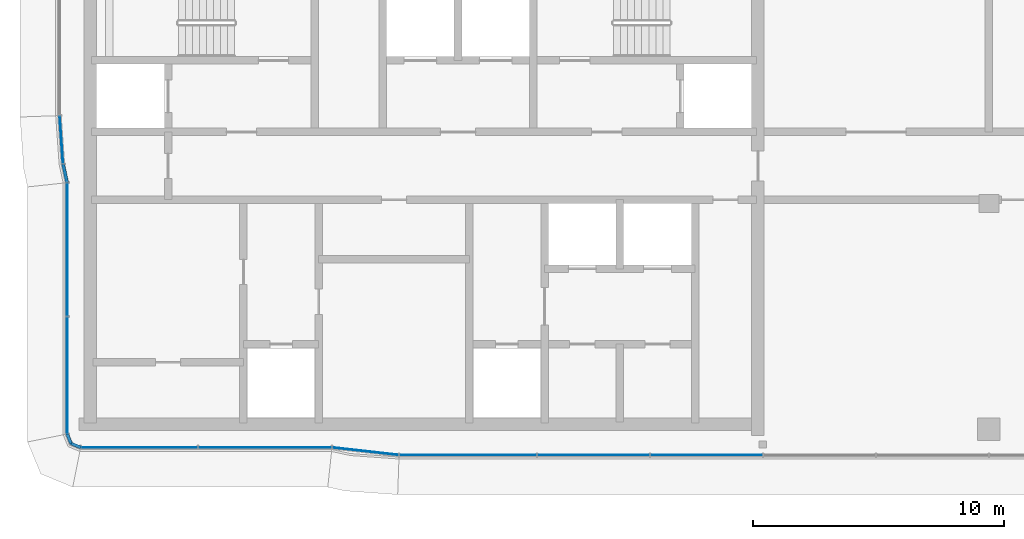
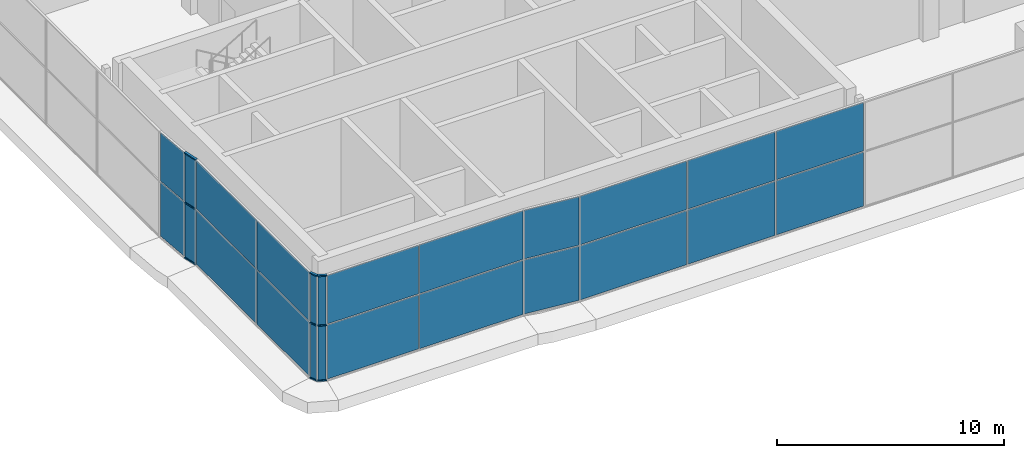
# One storey, part 12 of 23: 24 plates, 9 members, 6 elements without a shape of their own.
"""IFC4 building model written with IfcOpenShell, lengths in metres."""

from ifc_helpers import new_model, si_unit, direction, frame, origin, origin_2d, place, context, subcontext, project, spatial, rectangle, extrude, material, layer, layer_set, material_profile, profile_set, type_object, element, aggregate, save


model = new_model("IFC4")

# Units and contexts
model_context = context("Model", 3, precision=1e-05, world=origin(), true_north=direction((0.0, 1.0)))
body_context = subcontext(model_context, "Body", "Model", "MODEL_VIEW")
ifc_project = project(units=[si_unit("LENGTHUNIT", "METRE"), si_unit("AREAUNIT", "SQUARE_METRE"), si_unit("VOLUMEUNIT", "CUBIC_METRE"), si_unit("PLANEANGLEUNIT", "RADIAN"), si_unit("MASSUNIT", "GRAM", prefix="KILO")], contexts=[model_context])

# Site, building, storey
site_placement = place(None, origin())
site = spatial("IfcSite", under=ifc_project, at=site_placement, CompositionType="ELEMENT")
building_placement = place(site_placement, origin())
building = spatial("IfcBuilding", under=site, at=building_placement, Name="Ogive Portal Towers", CompositionType="ELEMENT")
storey_placement = place(building_placement, frame((0.0, 0.0, 260.89990234375)))
storey = spatial("IfcBuildingStorey", under=building, at=storey_placement, Name="L64", CompositionType="ELEMENT", Elevation=260.89990234375)

# Curtain wall, members
ifc_material_1 = material(Name="Glass, clear low-iron insulated glazing", Category="glass")
curtain_wall_type = type_object("IfcCurtainWallType", Name="CW OBSERVATION WALL", PredefinedType="NOTDEFINED", material=ifc_material_1)
curtain_wall_1_placement = place(storey_placement, origin())
curtain_wall_1 = element("IfcCurtainWall", 1, at=curtain_wall_1_placement, inside=storey, type_object=curtain_wall_type, Name="A:L64:f01:cwa", PredefinedType="NOTDEFINED")
ifc_material_2 = material(Name="Aluminium 6063 anodised", Category="aluminium")
ifc_material_profile = material_profile(ifc_material_2, rectangle(XDim=0.1201171875, YDim=0.06005859375, at=origin_2d()), Name="AL 120x60")
ifc_profile_set = profile_set([ifc_material_profile], Name="Aluminium 6063 anodised")
member_type = type_object("IfcMemberType", Name="CW TRANSOM 60x120", PredefinedType="USERDEFINED", material=ifc_profile_set)
member_1_placement = place(storey_placement, frame((30.780029296875, 21.31591796875, 0.030029296875), z_axis=(0.382754843841, -0.923849949676, 0.0), x_axis=(0.923849949676, 0.382754843841, 0.0)))
member_1 = element("IfcMember", 2, at=member_1_placement, type_object=member_type, Name="transom", ObjectType="TRANSOM", PredefinedType="USERDEFINED", context=body_context, shape_type="SweptSolid", body=[
    extrude(rectangle(XDim=0.1201171875, YDim=0.06005859375, at=origin_2d()), origin(), (0.0, 0.0, 1.0), 0.41015625),
])
member_2_placement = place(storey_placement, frame((30.780029296875, 21.31591796875, 3.0), z_axis=(0.382754843841, -0.923849949676, 0.0), x_axis=(0.923849949676, 0.382754843841, 0.0)))
member_2 = element("IfcMember", 3, at=member_2_placement, type_object=member_type, Name="transom", ObjectType="TRANSOM", PredefinedType="USERDEFINED", context=body_context, shape_type="SweptSolid", body=[
    extrude(rectangle(XDim=0.1201171875, YDim=0.06005859375, at=origin_2d()), origin(), (0.0, 0.0, 1.0), 0.41015625),
])
member_3_placement = place(storey_placement, frame((30.780029296875, 21.31591796875, 5.670166015625), z_axis=(0.382754843841, -0.923849949676, 0.0), x_axis=(0.923849949676, 0.382754843841, 0.0)))
member_3 = element("IfcMember", 4, at=member_3_placement, type_object=member_type, Name="transom", ObjectType="TRANSOM", PredefinedType="USERDEFINED", context=body_context, shape_type="SweptSolid", body=[
    extrude(rectangle(XDim=0.1201171875, YDim=0.06005859375, at=origin_2d()), origin(), (0.0, 0.0, 1.0), 0.41015625),
])
member_4_placement = place(storey_placement, frame((30.93701171875, 20.93701171875, 0.030029296875), z_axis=(0.923849949676, -0.382754843841, 0.0), x_axis=(0.382754843841, 0.923849949676, 0.0)))
member_4 = element("IfcMember", 5, at=member_4_placement, type_object=member_type, Name="transom", ObjectType="TRANSOM", PredefinedType="USERDEFINED", context=body_context, shape_type="SweptSolid", body=[
    extrude(rectangle(XDim=0.1201171875, YDim=0.06005859375, at=origin_2d()), origin(), (0.0, 0.0, 1.0), 0.41015625),
])
member_5_placement = place(storey_placement, frame((30.93701171875, 20.93701171875, 3.0), z_axis=(0.923849949676, -0.382754843841, 0.0), x_axis=(0.382754843841, 0.923849949676, 0.0)))
member_5 = element("IfcMember", 6, at=member_5_placement, type_object=member_type, Name="transom", ObjectType="TRANSOM", PredefinedType="USERDEFINED", context=body_context, shape_type="SweptSolid", body=[
    extrude(rectangle(XDim=0.1201171875, YDim=0.06005859375, at=origin_2d()), origin(), (0.0, 0.0, 1.0), 0.41015625),
])
member_6_placement = place(storey_placement, frame((30.93701171875, 20.93701171875, 5.670166015625), z_axis=(0.923849949676, -0.382754843841, 0.0), x_axis=(0.382754843841, 0.923849949676, 0.0)))
member_6 = element("IfcMember", 7, at=member_6_placement, type_object=member_type, Name="transom", ObjectType="TRANSOM", PredefinedType="USERDEFINED", context=body_context, shape_type="SweptSolid", body=[
    extrude(rectangle(XDim=0.1201171875, YDim=0.06005859375, at=origin_2d()), origin(), (0.0, 0.0, 1.0), 0.41015625),
])

curtain_wall_2_placement = place(storey_placement, origin())
curtain_wall_2 = element("IfcCurtainWall", 8, at=curtain_wall_2_placement, inside=storey, type_object=curtain_wall_type, Name="A:L64:f24:cwa", PredefinedType="NOTDEFINED")
member_7_placement = place(storey_placement, frame((30.617919921875, 32.075927734375, 0.030029296875), z_axis=(0.212456211675, -0.977170588035, 0.0), x_axis=(0.977170588035, 0.212456211675, 0.0)))
member_7 = element("IfcMember", 9, at=member_7_placement, type_object=member_type, Name="transom", ObjectType="TRANSOM", PredefinedType="USERDEFINED", context=body_context, shape_type="SweptSolid", body=[
    extrude(rectangle(XDim=0.1201171875, YDim=0.06005859375, at=origin_2d()), origin(), (0.0, 0.0, 1.0), 0.762939453125),
])
member_8_placement = place(storey_placement, frame((30.617919921875, 32.075927734375, 3.0), z_axis=(0.212456211675, -0.977170588035, 0.0), x_axis=(0.977170588035, 0.212456211675, 0.0)))
member_8 = element("IfcMember", 10, at=member_8_placement, type_object=member_type, Name="transom", ObjectType="TRANSOM", PredefinedType="USERDEFINED", context=body_context, shape_type="SweptSolid", body=[
    extrude(rectangle(XDim=0.1201171875, YDim=0.06005859375, at=origin_2d()), origin(), (0.0, 0.0, 1.0), 0.762939453125),
])
member_9_placement = place(storey_placement, frame((30.617919921875, 32.075927734375, 5.670166015625), z_axis=(0.212456211675, -0.977170588035, 0.0), x_axis=(0.977170588035, 0.212456211675, 0.0)))
member_9 = element("IfcMember", 11, at=member_9_placement, type_object=member_type, Name="transom", ObjectType="TRANSOM", PredefinedType="USERDEFINED", context=body_context, shape_type="SweptSolid", body=[
    extrude(rectangle(XDim=0.1201171875, YDim=0.06005859375, at=origin_2d()), origin(), (0.0, 0.0, 1.0), 0.762939453125),
])

# Curtain wall, plates
curtain_wall_3_placement = place(storey_placement, origin())
curtain_wall_3 = element("IfcCurtainWall", 12, at=curtain_wall_3_placement, inside=storey, type_object=curtain_wall_type, Name="A:L64:f00:cw0", PredefinedType="NOTDEFINED")
ifc_layer = layer(ifc_material_1, 0.028076171875)
ifc_layer_set = layer_set([ifc_layer], Name="CW PANEL IGU 28")
plate_type = type_object("IfcPlateType", Name="CW PANEL IGU 28", PredefinedType="CURTAIN_PANEL", material=ifc_layer_set)
plate_1_placement = place(storey_placement, frame((30.780029296875, 28.665283203125, 0.06005859375), z_axis=(0.0, 0.0, 1.0), x_axis=(0.0, -1.0, 0.0)))
plate_1 = element("IfcPlate", 13, at=plate_1_placement, type_object=plate_type, Name="panel", PredefinedType="CURTAIN_PANEL", context=body_context, shape_type="SweptSolid", body=[
    extrude(rectangle(XDim=5.2705078125, YDim=0.028076171875, at=origin_2d()), origin(), (0.0, 0.0, 1.0), 2.909912109375),
])
plate_2_placement = place(storey_placement, frame((30.780029296875, 28.665283203125, 3.0302734375), z_axis=(0.0, 0.0, 1.0), x_axis=(0.0, -1.0, 0.0)))
plate_2 = element("IfcPlate", 14, at=plate_2_placement, type_object=plate_type, Name="panel", PredefinedType="CURTAIN_PANEL", context=body_context, shape_type="SweptSolid", body=[
    extrude(rectangle(XDim=5.2705078125, YDim=0.028076171875, at=origin_2d()), origin(), (0.0, 0.0, 1.0), 2.610107421875),
])
plate_3_placement = place(storey_placement, frame((30.780029296875, 23.657958984375, 0.06005859375), z_axis=(0.0, 0.0, 1.0), x_axis=(0.0, -1.0, 0.0)))
plate_3 = element("IfcPlate", 15, at=plate_3_placement, type_object=plate_type, Name="panel", PredefinedType="CURTAIN_PANEL", context=body_context, shape_type="SweptSolid", body=[
    extrude(rectangle(XDim=4.6240234375, YDim=0.028076171875, at=origin_2d()), origin(), (0.0, 0.0, 1.0), 2.909912109375),
])
plate_4_placement = place(storey_placement, frame((30.780029296875, 23.657958984375, 3.0302734375), z_axis=(0.0, 0.0, 1.0), x_axis=(0.0, -1.0, 0.0)))
plate_4 = element("IfcPlate", 16, at=plate_4_placement, type_object=plate_type, Name="panel", PredefinedType="CURTAIN_PANEL", context=body_context, shape_type="SweptSolid", body=[
    extrude(rectangle(XDim=4.6240234375, YDim=0.028076171875, at=origin_2d()), origin(), (0.0, 0.0, 1.0), 2.610107421875),
])
aggregate(curtain_wall_3, [plate_1, plate_2, plate_3, plate_4])

curtain_wall_4_placement = place(storey_placement, origin())
curtain_wall_4 = element("IfcCurtainWall", 17, at=curtain_wall_4_placement, inside=storey, type_object=curtain_wall_type, Name="A:L64:f03:cw0", PredefinedType="NOTDEFINED")
plate_5_placement = place(storey_placement, frame((33.657958984375, 20.780029296875, 0.06005859375), z_axis=(0.0, 0.0, 1.0), x_axis=(1.0, 0.0, 0.0)))
plate_5 = element("IfcPlate", 18, at=plate_5_placement, type_object=plate_type, Name="panel", PredefinedType="CURTAIN_PANEL", context=body_context, shape_type="SweptSolid", body=[
    extrude(rectangle(XDim=4.6240234375, YDim=0.028076171875, at=origin_2d()), origin(), (0.0, 0.0, 1.0), 2.909912109375),
])
plate_6_placement = place(storey_placement, frame((33.657958984375, 20.780029296875, 3.0302734375), z_axis=(0.0, 0.0, 1.0), x_axis=(1.0, 0.0, 0.0)))
plate_6 = element("IfcPlate", 19, at=plate_6_placement, type_object=plate_type, Name="panel", PredefinedType="CURTAIN_PANEL", context=body_context, shape_type="SweptSolid", body=[
    extrude(rectangle(XDim=4.6240234375, YDim=0.028076171875, at=origin_2d()), origin(), (0.0, 0.0, 1.0), 2.610107421875),
])
plate_7_placement = place(storey_placement, frame((38.6630859375, 20.780029296875, 0.06005859375), z_axis=(0.0, 0.0, 1.0), x_axis=(1.0, 0.0, 0.0)))
plate_7 = element("IfcPlate", 20, at=plate_7_placement, type_object=plate_type, Name="panel", PredefinedType="CURTAIN_PANEL", context=body_context, shape_type="SweptSolid", body=[
    extrude(rectangle(XDim=5.266357421875, YDim=0.028076171875, at=origin_2d()), origin(), (0.0, 0.0, 1.0), 2.909912109375),
])
plate_8_placement = place(storey_placement, frame((38.6630859375, 20.780029296875, 3.0302734375), z_axis=(0.0, 0.0, 1.0), x_axis=(1.0, 0.0, 0.0)))
plate_8 = element("IfcPlate", 21, at=plate_8_placement, type_object=plate_type, Name="panel", PredefinedType="CURTAIN_PANEL", context=body_context, shape_type="SweptSolid", body=[
    extrude(rectangle(XDim=5.266357421875, YDim=0.028076171875, at=origin_2d()), origin(), (0.0, 0.0, 1.0), 2.610107421875),
])
aggregate(curtain_wall_4, [plate_5, plate_6, plate_7, plate_8])

curtain_wall_5_placement = place(storey_placement, origin())
curtain_wall_5 = element("IfcCurtainWall", 22, at=curtain_wall_5_placement, inside=storey, type_object=curtain_wall_type, Name="A:L64:f05:cw0", PredefinedType="NOTDEFINED")
plate_9_placement = place(storey_placement, frame((46.752197265625, 20.47998046875, 0.06005859375), z_axis=(0.0, 0.0, 1.0), x_axis=(1.0, 0.0, 0.0)))
plate_9 = element("IfcPlate", 23, at=plate_9_placement, type_object=plate_type, Name="panel", PredefinedType="CURTAIN_PANEL", context=body_context, shape_type="SweptSolid", body=[
    extrude(rectangle(XDim=5.435546875, YDim=0.028076171875, at=origin_2d()), origin(), (0.0, 0.0, 1.0), 2.909912109375),
])
plate_10_placement = place(storey_placement, frame((46.752197265625, 20.47998046875, 3.0302734375), z_axis=(0.0, 0.0, 1.0), x_axis=(1.0, 0.0, 0.0)))
plate_10 = element("IfcPlate", 24, at=plate_10_placement, type_object=plate_type, Name="panel", PredefinedType="CURTAIN_PANEL", context=body_context, shape_type="SweptSolid", body=[
    extrude(rectangle(XDim=5.435546875, YDim=0.028076171875, at=origin_2d()), origin(), (0.0, 0.0, 1.0), 2.610107421875),
])
plate_11_placement = place(storey_placement, frame((51.75, 20.47998046875, 0.06005859375), z_axis=(0.0, 0.0, 1.0), x_axis=(1.0, 0.0, 0.0)))
plate_11 = element("IfcPlate", 25, at=plate_11_placement, type_object=plate_type, Name="panel", PredefinedType="CURTAIN_PANEL", context=body_context, shape_type="SweptSolid", body=[
    extrude(rectangle(XDim=4.43994140625, YDim=0.028076171875, at=origin_2d()), origin(), (0.0, 0.0, 1.0), 2.909912109375),
])
plate_12_placement = place(storey_placement, frame((51.75, 20.47998046875, 3.0302734375), z_axis=(0.0, 0.0, 1.0), x_axis=(1.0, 0.0, 0.0)))
plate_12 = element("IfcPlate", 26, at=plate_12_placement, type_object=plate_type, Name="panel", PredefinedType="CURTAIN_PANEL", context=body_context, shape_type="SweptSolid", body=[
    extrude(rectangle(XDim=4.43994140625, YDim=0.028076171875, at=origin_2d()), origin(), (0.0, 0.0, 1.0), 2.610107421875),
])
plate_13_placement = place(storey_placement, frame((56.25, 20.47998046875, 0.06005859375), z_axis=(0.0, 0.0, 1.0), x_axis=(1.0, 0.0, 0.0)))
plate_13 = element("IfcPlate", 27, at=plate_13_placement, type_object=plate_type, Name="panel", PredefinedType="CURTAIN_PANEL", context=body_context, shape_type="SweptSolid", body=[
    extrude(rectangle(XDim=4.43994140625, YDim=0.028076171875, at=origin_2d()), origin(), (0.0, 0.0, 1.0), 2.909912109375),
])
plate_14_placement = place(storey_placement, frame((56.25, 20.47998046875, 3.0302734375), z_axis=(0.0, 0.0, 1.0), x_axis=(1.0, 0.0, 0.0)))
plate_14 = element("IfcPlate", 28, at=plate_14_placement, type_object=plate_type, Name="panel", PredefinedType="CURTAIN_PANEL", context=body_context, shape_type="SweptSolid", body=[
    extrude(rectangle(XDim=4.43994140625, YDim=0.028076171875, at=origin_2d()), origin(), (0.0, 0.0, 1.0), 2.610107421875),
])
aggregate(curtain_wall_5, [plate_9, plate_10, plate_11, plate_12, plate_13, plate_14])

# Plate
plate_15_placement = place(storey_placement, frame((30.8583984375, 21.12646484375, 0.06005859375), z_axis=(0.0, 0.0, 1.0), x_axis=(0.382683432365, -0.923879532511, 0.0)))
plate_15 = element("IfcPlate", 29, at=plate_15_placement, type_object=plate_type, Name="panel", PredefinedType="CURTAIN_PANEL", context=body_context, shape_type="SweptSolid", body=[
    extrude(rectangle(XDim=0.35009765625, YDim=0.028076171875, at=origin_2d()), origin(), (0.0, 0.0, 1.0), 2.909912109375),
])

plate_16_placement = place(storey_placement, frame((30.8583984375, 21.12646484375, 3.0302734375), z_axis=(0.0, 0.0, 1.0), x_axis=(0.382683432365, -0.923879532511, 0.0)))
plate_16 = element("IfcPlate", 30, at=plate_16_placement, type_object=plate_type, Name="panel", PredefinedType="CURTAIN_PANEL", context=body_context, shape_type="SweptSolid", body=[
    extrude(rectangle(XDim=0.35009765625, YDim=0.028076171875, at=origin_2d()), origin(), (0.0, 0.0, 1.0), 2.610107421875),
])

plate_17_placement = place(storey_placement, frame((31.12646484375, 20.8583984375, 0.06005859375), z_axis=(0.0, 0.0, 1.0), x_axis=(0.923879532511, -0.382683432365, 0.0)))
plate_17 = element("IfcPlate", 31, at=plate_17_placement, type_object=plate_type, Name="panel", PredefinedType="CURTAIN_PANEL", context=body_context, shape_type="SweptSolid", body=[
    extrude(rectangle(XDim=0.35009765625, YDim=0.028076171875, at=origin_2d()), origin(), (0.0, 0.0, 1.0), 2.909912109375),
])

plate_18_placement = place(storey_placement, frame((31.12646484375, 20.8583984375, 3.0302734375), z_axis=(0.0, 0.0, 1.0), x_axis=(0.923879532511, -0.382683432365, 0.0)))
plate_18 = element("IfcPlate", 32, at=plate_18_placement, type_object=plate_type, Name="panel", PredefinedType="CURTAIN_PANEL", context=body_context, shape_type="SweptSolid", body=[
    extrude(rectangle(XDim=0.35009765625, YDim=0.028076171875, at=origin_2d()), origin(), (0.0, 0.0, 1.0), 2.610107421875),
])

aggregate(curtain_wall_1, [member_1, member_2, member_3, member_4, member_5, member_6, plate_15, plate_16, plate_17, plate_18])

# Curtain wall, plates
curtain_wall_6_placement = place(storey_placement, origin())
curtain_wall_6 = element("IfcCurtainWall", 33, at=curtain_wall_6_placement, inside=storey, type_object=curtain_wall_type, Name="A:L64:f04:cwa", PredefinedType="NOTDEFINED")
plate_19_placement = place(storey_placement, frame((42.665283203125, 20.6298828125, 0.06005859375), z_axis=(0.0, 0.0, 1.0), x_axis=(0.993784755976, -0.11131872614, 0.0)))
plate_19 = element("IfcPlate", 34, at=plate_19_placement, type_object=plate_type, Name="panel", PredefinedType="CURTAIN_PANEL", context=body_context, shape_type="SweptSolid", body=[
    extrude(rectangle(XDim=2.635009765625, YDim=0.028076171875, at=origin_2d()), origin(), (0.0, 0.0, 1.0), 2.909912109375),
])
plate_20_placement = place(storey_placement, frame((42.665283203125, 20.6298828125, 3.0302734375), z_axis=(0.0, 0.0, 1.0), x_axis=(0.993784755976, -0.11131872614, 0.0)))
plate_20 = element("IfcPlate", 35, at=plate_20_placement, type_object=plate_type, Name="panel", PredefinedType="CURTAIN_PANEL", context=body_context, shape_type="SweptSolid", body=[
    extrude(rectangle(XDim=2.635009765625, YDim=0.028076171875, at=origin_2d()), origin(), (0.0, 0.0, 1.0), 2.610107421875),
])
aggregate(curtain_wall_6, [plate_19, plate_20])

# Plate
plate_21_placement = place(storey_placement, frame((30.548828125, 33.039306640625, 0.06005859375), z_axis=(0.0, 0.0, 1.0), x_axis=(0.071339183201, -0.99745211461, 0.0)))
plate_21 = element("IfcPlate", 36, at=plate_21_placement, type_object=plate_type, Name="panel", PredefinedType="CURTAIN_PANEL", context=body_context, shape_type="SweptSolid", body=[
    extrude(rectangle(XDim=1.871826171875, YDim=0.028076171875, at=origin_2d()), origin(), (0.0, 0.0, 1.0), 2.909912109375),
])

plate_22_placement = place(storey_placement, frame((30.548828125, 33.039306640625, 3.0302734375), z_axis=(0.0, 0.0, 1.0), x_axis=(0.071339183201, -0.99745211461, 0.0)))
plate_22 = element("IfcPlate", 37, at=plate_22_placement, type_object=plate_type, Name="panel", PredefinedType="CURTAIN_PANEL", context=body_context, shape_type="SweptSolid", body=[
    extrude(rectangle(XDim=1.871826171875, YDim=0.028076171875, at=origin_2d()), origin(), (0.0, 0.0, 1.0), 2.610107421875),
])

plate_23_placement = place(storey_placement, frame((30.698974609375, 31.703125, 0.06005859375), z_axis=(0.0, 0.0, 1.0), x_axis=(0.212565289558, -0.97714686597, 0.0)))
plate_23 = element("IfcPlate", 38, at=plate_23_placement, type_object=plate_type, Name="panel", PredefinedType="CURTAIN_PANEL", context=body_context, shape_type="SweptSolid", body=[
    extrude(rectangle(XDim=0.702880859375, YDim=0.028076171875, at=origin_2d()), origin(), (0.0, 0.0, 1.0), 2.909912109375),
])

plate_24_placement = place(storey_placement, frame((30.698974609375, 31.703125, 3.0302734375), z_axis=(0.0, 0.0, 1.0), x_axis=(0.212565289558, -0.97714686597, 0.0)))
plate_24 = element("IfcPlate", 39, at=plate_24_placement, type_object=plate_type, Name="panel", PredefinedType="CURTAIN_PANEL", context=body_context, shape_type="SweptSolid", body=[
    extrude(rectangle(XDim=0.702880859375, YDim=0.028076171875, at=origin_2d()), origin(), (0.0, 0.0, 1.0), 2.610107421875),
])

aggregate(curtain_wall_2, [member_7, member_8, member_9, plate_21, plate_22, plate_23, plate_24])

save(model, "model.ifc")
